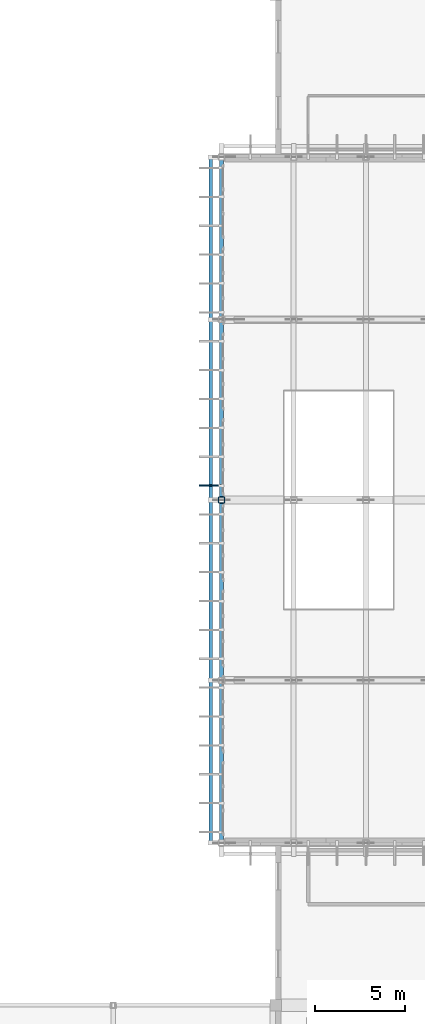
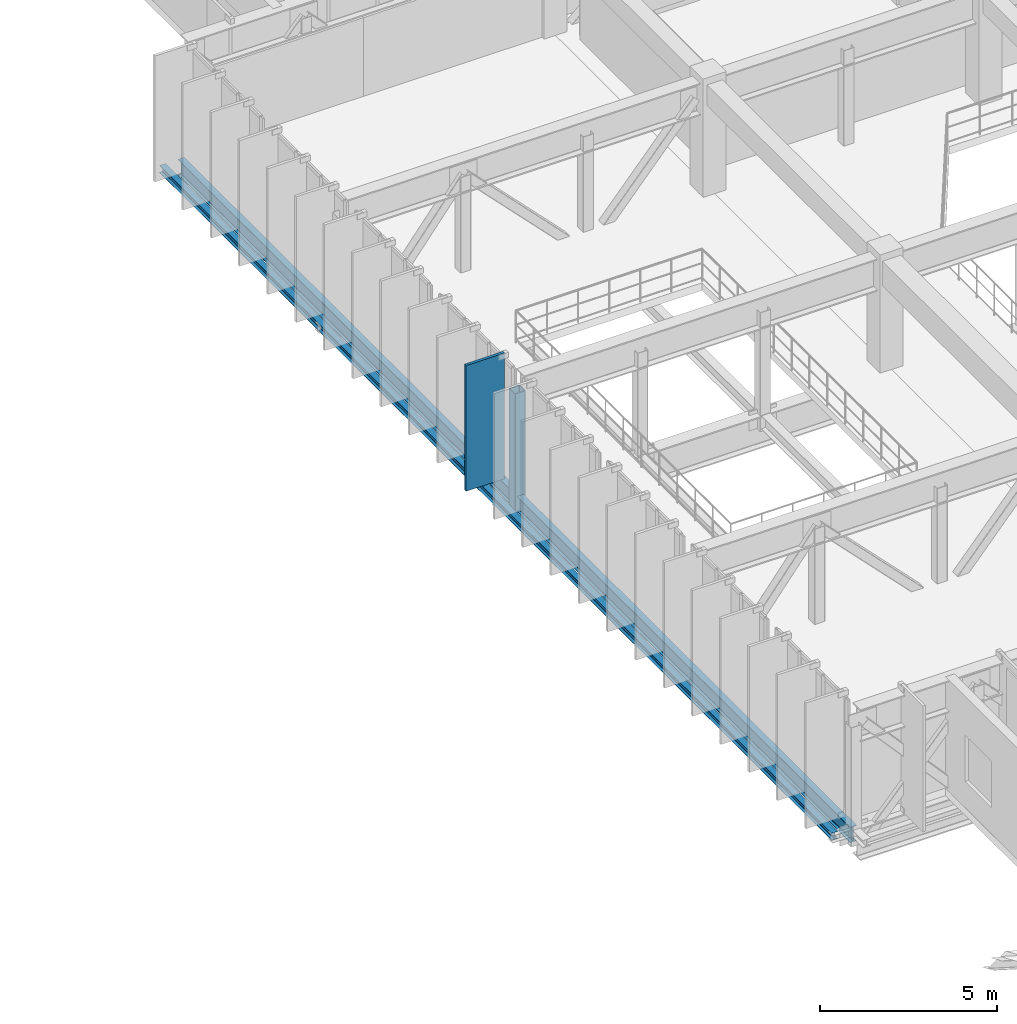
# One storey, part 36 of 130: 2 beams, 2 members.
"""IFC4 building model written with IfcOpenShell, lengths in metres."""

from ifc_helpers import new_model, si_unit, direction, frame, origin, origin_2d, place, context, subcontext, project, spatial, rectangle, hollow_rectangle, i_section, extrude, material, material_profile, profile_set, type_object, element, save


model = new_model("IFC4")

# Units and contexts
model_context = context("Model", 3, precision=1e-05, world=origin(), true_north=direction((0.0, 1.0)))
body_context = subcontext(model_context, "Body", "Model", "MODEL_VIEW")
ifc_project = project(units=[si_unit("LENGTHUNIT", "METRE"), si_unit("AREAUNIT", "SQUARE_METRE"), si_unit("VOLUMEUNIT", "CUBIC_METRE"), si_unit("PLANEANGLEUNIT", "RADIAN"), si_unit("MASSUNIT", "GRAM", prefix="KILO")], contexts=[model_context])

# Site, building, storey
site_placement = place(None, origin())
site = spatial("IfcSite", under=ifc_project, at=site_placement, CompositionType="ELEMENT")
building_placement = place(site_placement, origin())
building = spatial("IfcBuilding", under=site, at=building_placement, Name="Miravela Opera House", CompositionType="ELEMENT")
storey_placement = place(building_placement, frame((0.0, 0.0, 9.52001953125)))
storey = spatial("IfcBuildingStorey", under=building, at=storey_placement, Name="L02", CompositionType="ELEMENT", Elevation=9.52001953125)

# Member
ifc_material_1 = material(Name="Anodised architectural bronze aluminium 6063-T6", Category="aluminium")
ifc_material_profile_1 = material_profile(ifc_material_1, rectangle(XDim=0.090087890625, YDim=1.25, at=origin_2d()), Name="FIN-1250X90")
ifc_profile_set_1 = profile_set([ifc_material_profile_1])
member_type_1 = type_object("IfcMemberType", Name="ARC-FIN-1250", PredefinedType="USERDEFINED", material=ifc_profile_set_1)
member_1_placement = place(storey_placement, frame((14.39501953125, 56.800048828125, -0.260009765625), z_axis=(0.0, 0.0, 1.0), x_axis=(0.0, 1.0, 0.0)))
element("IfcMember", 1, at=member_1_placement, inside=storey, type_object=member_type_1, Name="Auditorium Wrapper Bronze Solar Fin FIN-L02-WEST-0013", ObjectType="FIN", PredefinedType="USERDEFINED", context=body_context, shape_type="SweptSolid", body=[
    extrude(rectangle(XDim=0.090087890625, YDim=1.25, at=origin_2d()), origin(), (0.0, 0.0, 1.0), 4.340087890625),
])

# Beams
ifc_material_2 = material(Name="Structural steel ASTM A992 Gr. 50", Category="steel")
ifc_material_profile_2 = material_profile(ifc_material_2, i_section(OverallWidth=0.201904296875, OverallDepth=0.2470703125, WebThickness=0.00732421875, FlangeThickness=0.010986328125, FilletRadius=0.011962890625, at=origin_2d()), Name="W250X49")
ifc_profile_set_2 = profile_set([ifc_material_profile_2])
beam_type_1 = type_object("IfcBeamType", Name="STR-BM-W250X49", PredefinedType="LINTEL", material=ifc_profile_set_2)
beam_1_placement = place(storey_placement, frame((14.39501953125, 37.0, -0.383544921875), z_axis=(0.0, 1.0, 0.0), x_axis=(-1.0, 0.0, 0.0)))
element("IfcBeam", 2, at=beam_1_placement, inside=storey, type_object=beam_type_1, Name="Facade Fin Support Ledger Beam L02 West", PredefinedType="LINTEL", context=body_context, shape_type="SweptSolid", body=[
    extrude(i_section(OverallWidth=0.201904296875, OverallDepth=0.2470703125, WebThickness=0.00732421875, FlangeThickness=0.010986328125, FilletRadius=0.011962890625, at=origin_2d()), origin(), (0.0, 0.0, 1.0), 38.0),
])
ifc_material_profile_3 = material_profile(ifc_material_2, i_section(OverallWidth=0.2109375, OverallDepth=0.5390625, WebThickness=0.01171875, FlangeThickness=0.018798828125, FilletRadius=0.01611328125, at=origin_2d()), Name="W530X109")
ifc_profile_set_3 = profile_set([ifc_material_profile_3])
beam_type_2 = type_object("IfcBeamType", Name="STR-BM-W530X109", PredefinedType="SPANDREL", material=ifc_profile_set_3)
beam_2_placement = place(storey_placement, frame((15.0, 37.0, -0.529541015625), z_axis=(0.0, 1.0, 0.0), x_axis=(-1.0, 0.0, 0.0)))
element("IfcBeam", 3, at=beam_2_placement, inside=storey, type_object=beam_type_2, Name="Cantilever Overhang Fascia Spandrel L02 X=15", PredefinedType="SPANDREL", context=body_context, shape_type="SweptSolid", body=[
    extrude(i_section(OverallWidth=0.2109375, OverallDepth=0.5390625, WebThickness=0.01171875, FlangeThickness=0.018798828125, FilletRadius=0.01611328125, at=origin_2d()), origin(), (0.0, 0.0, 1.0), 38.0),
])

# Member
ifc_material_3 = material(Name="Hollow structural steel ASTM A500 Gr. C", Category="steel")
ifc_material_profile_4 = material_profile(ifc_material_3, hollow_rectangle(XDim=0.35009765625, YDim=0.35009765625, WallThickness=0.01611328125, InnerFilletRadius=0.01611328125, OuterFilletRadius=0.031982421875, at=origin_2d()), Name="HSS350X350X16")
ifc_profile_set_4 = profile_set([ifc_material_profile_4])
member_type_2 = type_object("IfcMemberType", Name="STR-MEM-CANT-POST", PredefinedType="POST", material=ifc_profile_set_4)
member_2_placement = place(storey_placement, frame((15.0, 56.0, -0.81298828125), z_axis=(0.0, 0.0, 1.0), x_axis=(1.0, 0.0, 0.0)))
element("IfcMember", 4, at=member_2_placement, inside=storey, type_object=member_type_2, Name="Cantilever Truss CT-03 Post X=15.0", PredefinedType="POST", context=body_context, shape_type="SweptSolid", body=[
    extrude(hollow_rectangle(XDim=0.35009765625, YDim=0.35009765625, WallThickness=0.01611328125, InnerFilletRadius=0.01611328125, OuterFilletRadius=0.031982421875, at=origin_2d()), origin(), (0.0, 0.0, 1.0), 4.099853515625),
])

save(model, "model.ifc")
